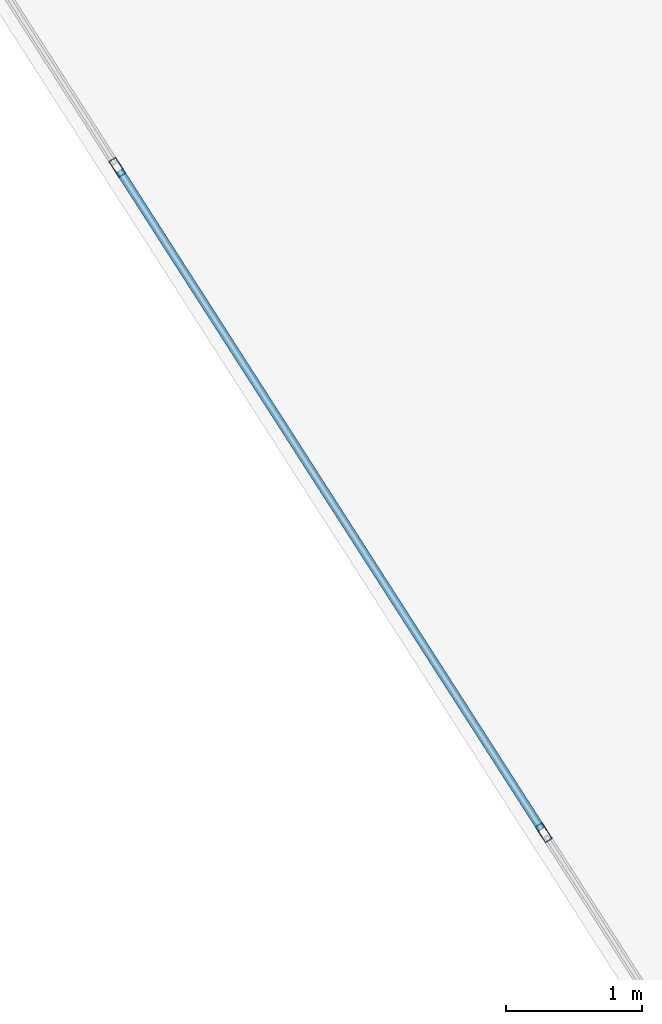
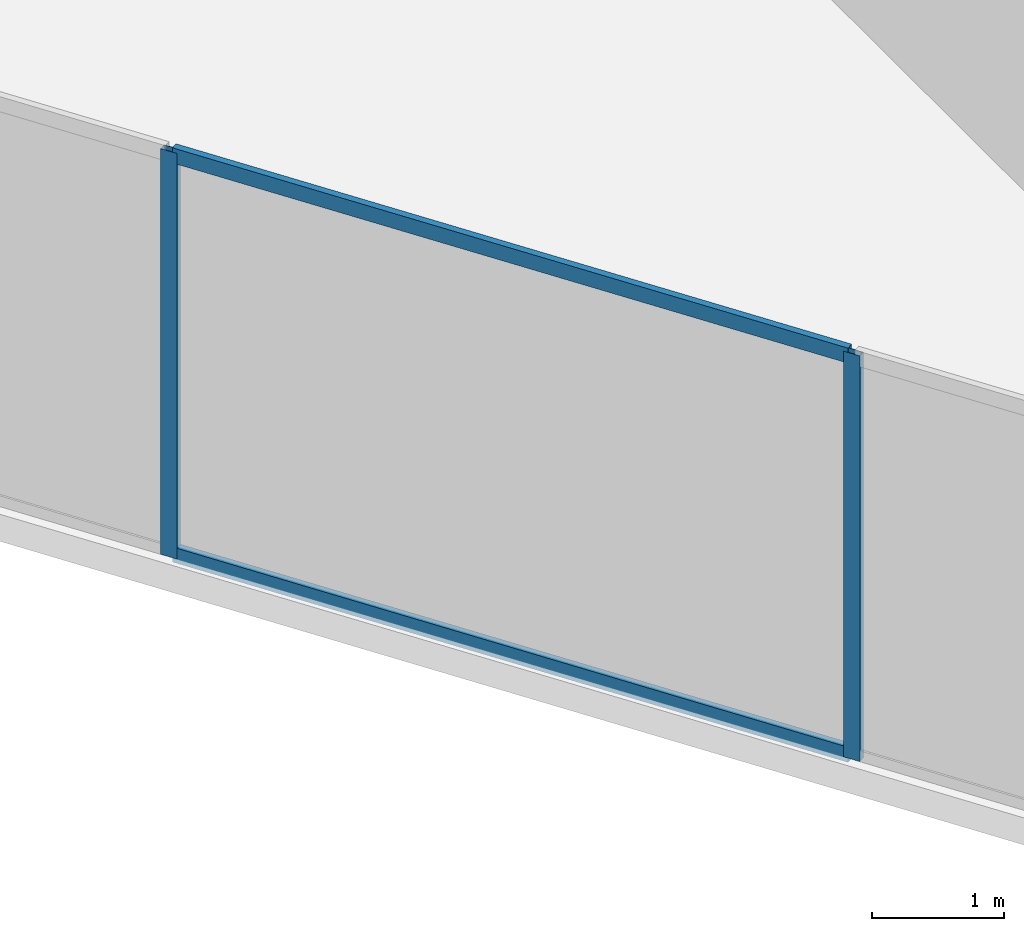
# One storey, part 17 of 26: 4 members, 1 element without a shape of its own.
"""IFC4 building model written with IfcOpenShell, lengths in metres."""

from ifc_helpers import new_model, si_unit, direction, frame, origin, origin_2d, place, context, subcontext, project, spatial, hollow_rectangle, extrude, material, layer, layer_set, material_profile, profile_set, type_object, element, aggregate, save


model = new_model("IFC4")

# Units and contexts
model_context = context("Model", 3, precision=1e-05, world=origin(), true_north=direction((0.0, 1.0)))
body_context = subcontext(model_context, "Body", "Model", "MODEL_VIEW")
ifc_project = project(units=[si_unit("LENGTHUNIT", "METRE"), si_unit("AREAUNIT", "SQUARE_METRE"), si_unit("VOLUMEUNIT", "CUBIC_METRE"), si_unit("PLANEANGLEUNIT", "RADIAN"), si_unit("MASSUNIT", "GRAM", prefix="KILO")], contexts=[model_context])

# Site, building, storey
site_placement = place(None, origin())
site = spatial("IfcSite", under=ifc_project, at=site_placement, CompositionType="ELEMENT")
building_placement = place(site_placement, origin())
building = spatial("IfcBuilding", under=site, at=building_placement, Name="Kravanh Interchange Tower", CompositionType="ELEMENT")
storey_placement = place(building_placement, frame((0.0, 0.0, 144.0)))
storey = spatial("IfcBuildingStorey", under=building, at=storey_placement, Name="L34", CompositionType="ELEMENT", Elevation=144.0)

# Curtain wall, members
ifc_material_1 = material(Name="Anodised Bronze Aluminium", Category="aluminium")
ifc_layer = layer(ifc_material_1, 0.179931640625)
ifc_layer_set = layer_set([ifc_layer], Name="Unitised Curtain Wall System CW-Z2 Mid Office")
curtain_wall_type = type_object("IfcCurtainWallType", Name="Unitised Curtain Wall System CW-Z2 Mid Office", PredefinedType="NOTDEFINED", material=ifc_layer_set)
curtain_wall_placement = place(storey_placement, origin())
curtain_wall = element("IfcCurtainWall", 1, at=curtain_wall_placement, inside=storey, type_object=curtain_wall_type, Name="L34 Unitised Curtain Wall CW-L34-04", PredefinedType="NOTDEFINED")
ifc_material_2 = material(Name="Anodised Bronze Aluminium", Category="aluminium")
ifc_material_profile_1 = material_profile(ifc_material_2, hollow_rectangle(XDim=0.06005859375, YDim=0.139892578125, WallThickness=0.00390625, at=origin_2d()), Name="ALU60X140X4")
ifc_profile_set_1 = profile_set([ifc_material_profile_1], Name="Anodised Bronze Aluminium")
member_type_1 = type_object("IfcMemberType", Name="Curtain Wall Mullion ALU60X140X4 Bronze", PredefinedType="MULLION", material=ifc_profile_set_1)
member_1_placement = place(storey_placement, frame((45.8828125, 16.12109375, 0.0), z_axis=(0.0, 0.0, 1.0), x_axis=(-0.841879939476, -0.539664865919, 0.0)))
member_1 = element("IfcMember", 2, at=member_1_placement, type_object=member_type_1, Name="CW-Z2 mullion 3", PredefinedType="MULLION", context=body_context, shape_type="SweptSolid", body=[
    extrude(hollow_rectangle(XDim=0.06005859375, YDim=0.139892578125, WallThickness=0.00390625, at=origin_2d()), origin(), (0.0, 0.0, 1.0), 3.75),
])
member_2_placement = place(storey_placement, frame((42.741455078125, 21.021728515625, 0.0), z_axis=(0.0, 0.0, 1.0), x_axis=(-0.841879939476, -0.539664865919, 0.0)))
member_2 = element("IfcMember", 3, at=member_2_placement, type_object=member_type_1, Name="CW-Z2 mullion 4", PredefinedType="MULLION", context=body_context, shape_type="SweptSolid", body=[
    extrude(hollow_rectangle(XDim=0.06005859375, YDim=0.139892578125, WallThickness=0.00390625, at=origin_2d()), origin(), (0.0, 0.0, 1.0), 3.75),
])
ifc_material_3 = material(Name="Anodised Bronze Aluminium", Category="aluminium")
ifc_material_profile_2 = material_profile(ifc_material_3, hollow_rectangle(XDim=0.06005859375, YDim=0.139892578125, WallThickness=0.00390625, at=origin_2d()), Name="ALU60X140X4")
ifc_profile_set_2 = profile_set([ifc_material_profile_2], Name="Anodised Bronze Aluminium")
member_type_2 = type_object("IfcMemberType", Name="Curtain Wall Transom ALU60X140X4 Bronze", PredefinedType="USERDEFINED", material=ifc_profile_set_2)
member_3_placement = place(storey_placement, frame((45.86669921875, 16.146484375, 0.030029296875), z_axis=(-0.539677666788, 0.84187173368, 0.0), x_axis=(-0.84187173368, -0.539677666788, 0.0)))
member_3 = element("IfcMember", 4, at=member_3_placement, type_object=member_type_2, Name="CW-Z2 transom 3.1", ObjectType="TRANSOM", PredefinedType="USERDEFINED", context=body_context, shape_type="SweptSolid", body=[
    extrude(hollow_rectangle(XDim=0.06005859375, YDim=0.139892578125, WallThickness=0.00390625, at=origin_2d()), origin(), (0.0, 0.0, 1.0), 5.760986328125),
])
member_4_placement = place(storey_placement, frame((45.86669921875, 16.146484375, 3.719970703125), z_axis=(-0.539677666788, 0.84187173368, 0.0), x_axis=(-0.84187173368, -0.539677666788, 0.0)))
member_4 = element("IfcMember", 5, at=member_4_placement, type_object=member_type_2, Name="CW-Z2 transom 3.2", ObjectType="TRANSOM", PredefinedType="USERDEFINED", context=body_context, shape_type="SweptSolid", body=[
    extrude(hollow_rectangle(XDim=0.06005859375, YDim=0.139892578125, WallThickness=0.00390625, at=origin_2d()), origin(), (0.0, 0.0, 1.0), 5.760986328125),
])
aggregate(curtain_wall, [member_1, member_2, member_3, member_4])

save(model, "model.ifc")
